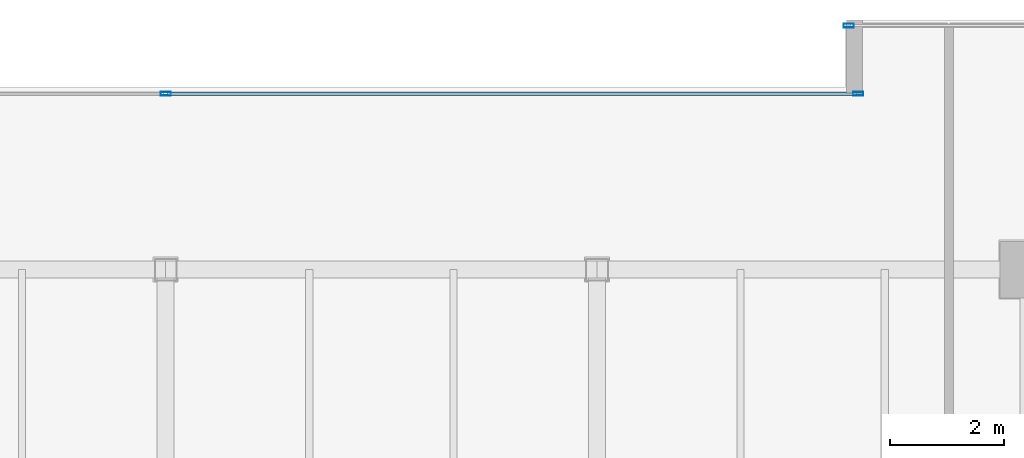
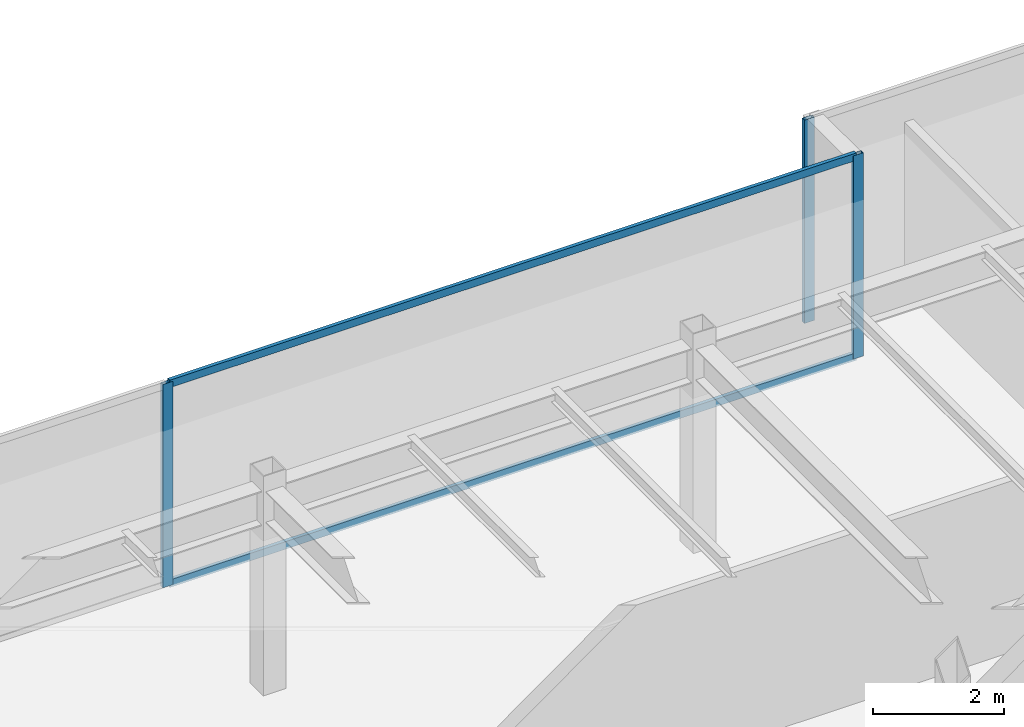
# One storey, part 19 of 36: 5 members, 2 elements without a shape of their own.
"""IFC4 building model written with IfcOpenShell, lengths in metres."""

from ifc_helpers import new_model, si_unit, direction, frame, origin, origin_2d, place, context, subcontext, project, spatial, hollow_rectangle, extrude, source, transform, mapped, material, layer, layer_set, material_profile, profile_set, type_object, type_shapes, element, aggregate, save


model = new_model("IFC4")

# Units and contexts
model_context = context("Model", 3, precision=1e-05, world=origin(), true_north=direction((0.0, 1.0)))
body_context = subcontext(model_context, "Body", "Model", "MODEL_VIEW")
ifc_project = project(units=[si_unit("LENGTHUNIT", "METRE"), si_unit("AREAUNIT", "SQUARE_METRE"), si_unit("VOLUMEUNIT", "CUBIC_METRE"), si_unit("PLANEANGLEUNIT", "RADIAN"), si_unit("MASSUNIT", "GRAM", prefix="KILO")], contexts=[model_context])

# Site, building, storey
site_placement = place(None, origin())
site = spatial("IfcSite", under=ifc_project, at=site_placement, CompositionType="ELEMENT")
building_placement = place(site_placement, origin())
building = spatial("IfcBuilding", under=site, at=building_placement, Name="Haelvirn Gate Laboratories", CompositionType="ELEMENT")
storey_placement = place(building_placement, frame((0.0, 0.0, 262.89990234375)))
storey = spatial("IfcBuildingStorey", under=building, at=storey_placement, Name="L63", CompositionType="ELEMENT", Elevation=262.89990234375)

# Curtain wall, members
ifc_material_1 = material(Name="Anodised bronze unitised aluminium & triple low-E glass", Category="aluminium")
ifc_layer = layer(ifc_material_1, 0.176025390625, Name="CW-SYS-4")
ifc_layer_set = layer_set([ifc_layer], Name="Anodised bronze unitised aluminium & triple low-E glass")
curtain_wall_type = type_object("IfcCurtainWallType", Name="CW-SYS-4", PredefinedType="NOTDEFINED", material=ifc_layer_set)
curtain_wall_1_placement = place(storey_placement, origin())
curtain_wall_1 = element("IfcCurtainWall", 1, at=curtain_wall_1_placement, inside=storey, type_object=curtain_wall_type, Name="L63 Unitised Curtain Wall CW-L63-P0-E12-1", PredefinedType="NOTDEFINED")
ifc_material_2 = material(Name="Extruded aluminium 6063-T6 (anodised bronze)", Category="aluminium")
ifc_material_profile_1 = material_profile(ifc_material_2, hollow_rectangle(XDim=0.06494140625, YDim=0.139892578125, WallThickness=0.00390625, at=origin_2d()), Name="CWT-140x65x4")
ifc_profile_set_1 = profile_set([ifc_material_profile_1], Name="Extruded aluminium 6063-T6 (anodised bronze)")
member_type_1 = type_object("IfcMemberType", Name="CWT-T140", PredefinedType="USERDEFINED", material=ifc_profile_set_1)
shared_shape_1 = source(origin(), body_context, "Body", "SweptSolid", [
    extrude(hollow_rectangle(XDim=0.06494140625, YDim=0.139892578125, WallThickness=0.00390625, at=origin_2d()), origin(), (0.0, 0.0, 1.0), 12.135009765625),
])
type_shapes(member_type_1, [shared_shape_1])
member_1_placement = place(storey_placement, frame((37.43505859375, 44.699951171875, 0.03271484375), z_axis=(1.0, 0.0, 0.0), x_axis=(0.0, 1.0, 0.0)))
member_1 = element("IfcMember", 2, at=member_1_placement, type_object=member_type_1, Name="CW4 transom 2.1", ObjectType="TRANSOM", PredefinedType="USERDEFINED", context=body_context, shape_type="MappedRepresentation", body=[
    mapped(shared_shape_1, transform((0.0, 0.0, 0.0), scale=1.0)),
])
member_2_placement = place(storey_placement, frame((37.43505859375, 44.699951171875, 3.767578125), z_axis=(1.0, 0.0, 0.0), x_axis=(0.0, 1.0, 0.0)))
member_2 = element("IfcMember", 3, at=member_2_placement, type_object=member_type_1, Name="CW4 transom 2.2", ObjectType="TRANSOM", PredefinedType="USERDEFINED", context=body_context, shape_type="MappedRepresentation", body=[
    mapped(shared_shape_1, transform((0.0, 0.0, 0.0), scale=1.0)),
])

# Curtain wall, member
curtain_wall_2_placement = place(storey_placement, origin())
curtain_wall_2 = element("IfcCurtainWall", 4, at=curtain_wall_2_placement, inside=storey, type_object=curtain_wall_type, Name="L63 Unitised Curtain Wall CW-L63-P0-E10-1", PredefinedType="NOTDEFINED")
ifc_material_profile_2 = material_profile(ifc_material_2, hollow_rectangle(XDim=0.070068359375, YDim=0.179931640625, WallThickness=0.0048828125, at=origin_2d()), Name="CWM-180x70x5")
ifc_profile_set_2 = profile_set([ifc_material_profile_2], Name="Extruded aluminium 6063-T6 (anodised bronze)")
member_type_2 = type_object("IfcMemberType", Name="CWM-T180", PredefinedType="MULLION", material=ifc_profile_set_2)
shared_shape_2 = source(origin(), body_context, "Body", "SweptSolid", [
    extrude(hollow_rectangle(XDim=0.070068359375, YDim=0.179931640625, WallThickness=0.0048828125, at=origin_2d()), origin(), (0.0, 0.0, 1.0), 3.800048828125),
])
type_shapes(member_type_2, [shared_shape_2])
member_3_placement = place(storey_placement, frame((49.43505859375, 45.89990234375, 0.0), z_axis=(0.0, 0.0, 1.0), x_axis=(0.0, 1.0, 0.0)))
member_3 = element("IfcMember", 5, at=member_3_placement, type_object=member_type_2, Name="CW4 mullion 1", PredefinedType="MULLION", context=body_context, shape_type="MappedRepresentation", body=[
    mapped(shared_shape_2, transform((0.0, 0.0, 0.0), scale=1.0)),
])
aggregate(curtain_wall_2, [member_3])

# Member
member_4_placement = place(storey_placement, frame((37.39990234375, 44.699951171875, 0.0), z_axis=(0.0, 0.0, 1.0), x_axis=(0.0, 1.0, 0.0)))
member_4 = element("IfcMember", 6, at=member_4_placement, type_object=member_type_2, Name="CW4 mullion 2", PredefinedType="MULLION", context=body_context, shape_type="MappedRepresentation", body=[
    mapped(shared_shape_2, transform((0.0, 0.0, 0.0), scale=1.0)),
])

member_5_placement = place(storey_placement, frame((49.60498046875, 44.699951171875, 0.0), z_axis=(0.0, 0.0, 1.0), x_axis=(0.0, 1.0, 0.0)))
member_5 = element("IfcMember", 7, at=member_5_placement, type_object=member_type_2, Name="CW4 mullion 3", PredefinedType="MULLION", context=body_context, shape_type="MappedRepresentation", body=[
    mapped(shared_shape_2, transform((0.0, 0.0, 0.0), scale=1.0)),
])

aggregate(curtain_wall_1, [member_4, member_5, member_1, member_2])

save(model, "model.ifc")
